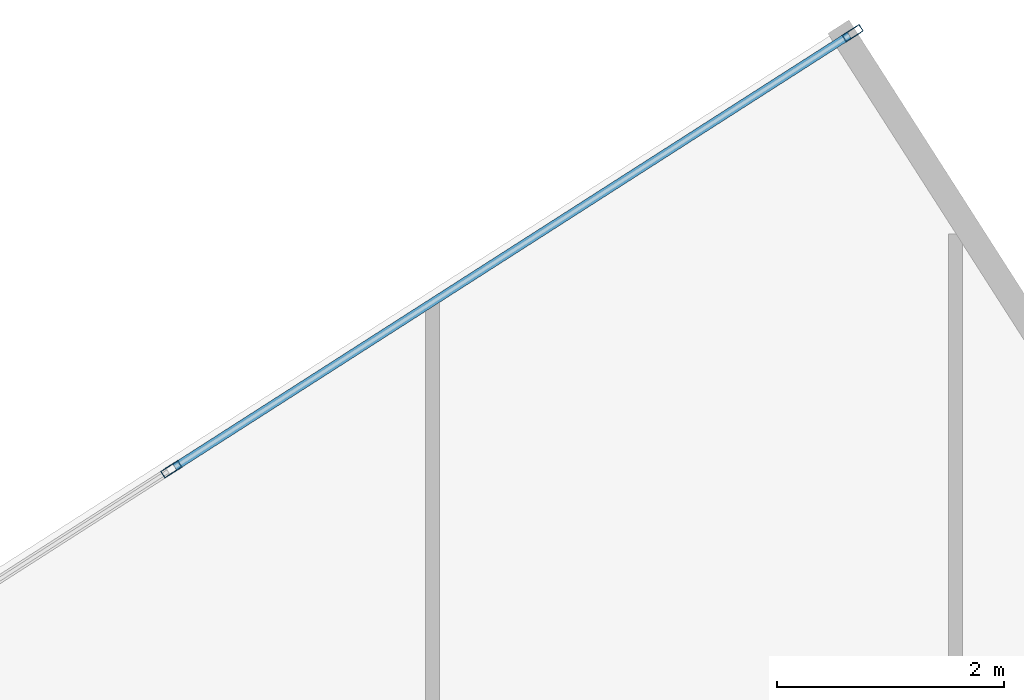
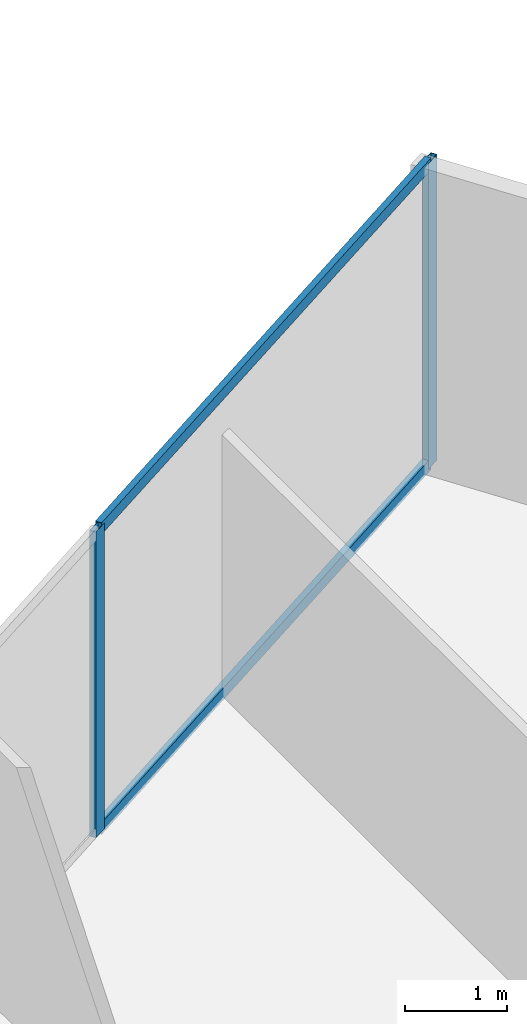
# One storey, part 14 of 20: 4 members, 1 element without a shape of its own.
"""IFC4 building model written with IfcOpenShell, lengths in metres."""

import ifcopenshell
import ifcopenshell.guid

model = None  # the IFC model being written
_history = None  # IfcOwnerHistory: only IFC2X3 demands one
_inside = {}  # id of a spatial element -> (the spatial element, [elements in it])
_under = {}  # id of a project, library or spatial element -> (it, [spatial elements below it])
_declared = {}  # id of a project -> (the project, [libraries it declares])
_typed = {}  # id of a type object -> (the type object, [elements of that type])
_made_of = {}  # id of a material, layer set ... -> (it, [elements and type objects made of it])


def new_model(schema):
    """Start an empty IFC model of exactly this schema.

    Asked for "IFC4X3", IfcOpenShell would pick the latest addendum, in which some entities
    have other attributes; the version numbers below select the first issue.
    IFC2X3 requires an IfcOwnerHistory on every rooted entity: one is made here for all.
    """
    global model, _history
    if schema == "IFC4X3":
        model = ifcopenshell.file(schema_version=(4, 3, 0, 0))
    else:
        model = ifcopenshell.file(schema=schema)
    _inside.clear()
    _under.clear()
    _declared.clear()
    _typed.clear()
    _made_of.clear()
    _history = None
    if model.schema == "IFC2X3":
        org = make("IfcOrganization", Name="unknown")
        user = make(
            "IfcPersonAndOrganization",
            ThePerson=make("IfcPerson", FamilyName="unknown"),
            TheOrganization=org,
        )
        app = make(
            "IfcApplication",
            ApplicationDeveloper=org,
            Version="unknown",
            ApplicationFullName="unknown",
            ApplicationIdentifier="unknown",
        )
        _history = make(
            "IfcOwnerHistory",
            OwningUser=user,
            OwningApplication=app,
            ChangeAction="ADDED",
            CreationDate=0,
        )
    return model


def make(cls, **values):
    """One entity of the class cls with the attributes given. An attribute that is None is left unset."""
    return model.create_entity(
        cls, **{name: value for name, value in values.items() if value is not None}
    )


def rooted(cls, **values):
    """An entity with a GlobalId (a new one), such as an element, a storey or a relation."""
    return make(cls, GlobalId=ifcopenshell.guid.new(), OwnerHistory=_history, **values)


def si_unit(unit_type, name, prefix=None):
    """IfcSIUnit, for example si_unit("LENGTHUNIT", "METRE", prefix="MILLI")."""
    return make("IfcSIUnit", UnitType=unit_type, Prefix=prefix, Name=name)


def assignment(units):
    """IfcUnitAssignment: the units of a project."""
    return None if units is None else make("IfcUnitAssignment", Units=units)


def point(xyz):
    """IfcCartesianPoint."""
    return None if xyz is None else make("IfcCartesianPoint", Coordinates=xyz)


def direction(xyz):
    """IfcDirection."""
    return None if xyz is None else make("IfcDirection", DirectionRatios=xyz)


def frame(location, z_axis=None, x_axis=None):
    """IfcAxis2Placement3D, a coordinate frame: its origin and axes. An axis left out is left unset."""
    return make(
        "IfcAxis2Placement3D",
        Location=point(location),
        Axis=direction(z_axis),
        RefDirection=direction(x_axis),
    )


def frame_2d(location, x_axis=None):
    """IfcAxis2Placement2D, a coordinate frame in the plane: its origin and x axis."""
    return make(
        "IfcAxis2Placement2D", Location=point(location), RefDirection=direction(x_axis)
    )


def origin():
    """The frame at (0, 0, 0) with its axes left unset."""
    return frame((0.0, 0.0, 0.0))


def origin_2d():
    """The frame at (0, 0) in the plane with its x axis left unset."""
    return frame_2d((0.0, 0.0))


def place(relative_to, where):
    """IfcLocalPlacement: puts the frame where relative to a parent placement (None: the world)."""
    return make(
        "IfcLocalPlacement", PlacementRelTo=relative_to, RelativePlacement=where
    )


def context(
    kind, dimensions, precision=None, world=None, true_north=None, identifier=None
):
    """IfcGeometricRepresentationContext, for example the 3D "Model" context."""
    return make(
        "IfcGeometricRepresentationContext",
        ContextIdentifier=identifier,
        ContextType=kind,
        CoordinateSpaceDimension=dimensions,
        Precision=precision,
        WorldCoordinateSystem=world,
        TrueNorth=true_north,
    )


def subcontext(parent, identifier, kind, view, scale=None):
    """IfcGeometricRepresentationSubContext, for example "Body" below "Model"."""
    return make(
        "IfcGeometricRepresentationSubContext",
        ContextIdentifier=identifier,
        ContextType=kind,
        ParentContext=parent,
        TargetScale=scale,
        TargetView=view,
    )


def project(units=None, contexts=None):
    """IfcProject with its units and contexts."""
    return rooted(
        "IfcProject",
        Name="project",
        RepresentationContexts=contexts,
        UnitsInContext=assignment(units),
    )


def spatial(cls, under=None, at=None, **own):
    """A site, building, storey or space (cls), placed at a placement, below another one or the project."""
    s = rooted(cls, ObjectPlacement=at, **own)
    if under is not None:
        _under.setdefault(under.id(), (under, []))[1].append(s)
    return s


def profile(cls, at=None, kind="AREA", **sizes):
    """A parametric profile (cls). Its sizes go by their IFC names, for example OverallWidth=200.0."""
    return make(cls, ProfileType=kind, Position=at, **sizes)


def hollow_rectangle(**sizes):
    """IfcRectangleHollowProfileDef."""
    return profile("IfcRectangleHollowProfileDef", **sizes)


def extrude(swept, where, along, depth):
    """IfcExtrudedAreaSolid: the profile swept, set in the frame where, extruded along a direction by depth."""
    return make(
        "IfcExtrudedAreaSolid",
        SweptArea=swept,
        Position=where,
        ExtrudedDirection=direction(along),
        Depth=depth,
    )


def shape(context_of_items, identifier, shape_type, items):
    """IfcShapeRepresentation: the items that make up one representation, for example the "Body"."""
    return make(
        "IfcShapeRepresentation",
        ContextOfItems=context_of_items,
        RepresentationIdentifier=identifier,
        RepresentationType=shape_type,
        Items=items,
    )


def source(mapping_origin, context_of_items, identifier, shape_type, items):
    """IfcRepresentationMap: a shape defined once, which mapped items show again and again."""
    return make(
        "IfcRepresentationMap",
        MappingOrigin=mapping_origin,
        MappedRepresentation=shape(context_of_items, identifier, shape_type, items),
    )


def transform(
    local_origin,
    x_axis=None,
    y_axis=None,
    z_axis=None,
    scale=None,
    scale2=None,
    scale3=None,
    uniform=True,
):
    """IfcCartesianTransformationOperator3D, or its non-uniform kind. x_axis, y_axis, z_axis: its Axis1, 2, 3."""
    if uniform:
        return make(
            "IfcCartesianTransformationOperator3D",
            Axis1=direction(x_axis),
            Axis2=direction(y_axis),
            LocalOrigin=point(local_origin),
            Scale=scale,
            Axis3=direction(z_axis),
        )
    return make(
        "IfcCartesianTransformationOperator3DnonUniform",
        Axis1=direction(x_axis),
        Axis2=direction(y_axis),
        LocalOrigin=point(local_origin),
        Scale=scale,
        Axis3=direction(z_axis),
        Scale2=scale2,
        Scale3=scale3,
    )


def mapped(mapping_source, mapping_target):
    """IfcMappedItem: shows the shape of a source again, moved by a transform."""
    return make(
        "IfcMappedItem", MappingSource=mapping_source, MappingTarget=mapping_target
    )


def material(Name=None, Category=None):
    """IfcMaterial."""
    return make("IfcMaterial", Name=Name, Category=Category)


def material_profile(
    of_material, cross_section, Name=None, Category=None, Priority=None
):
    """IfcMaterialProfile: a cross section and its material."""
    return make(
        "IfcMaterialProfile",
        Name=Name,
        Material=of_material,
        Profile=cross_section,
        Priority=Priority,
        Category=Category,
    )


def profile_set(profiles, Name=None, composite=None):
    """IfcMaterialProfileSet."""
    return make(
        "IfcMaterialProfileSet",
        Name=Name,
        MaterialProfiles=profiles,
        CompositeProfile=composite,
    )


def made_of(thing, what):
    """Note that an element or type object is made of a material, layer set ...; save() writes the relation."""
    if what is not None:
        _made_of.setdefault(what.id(), (what, []))[1].append(thing)
    return thing


def type_object(cls, material=None, **own):
    """A type object (cls), such as IfcWallType, which elements share."""
    return made_of(rooted(cls, **own), material)


def type_shapes(of_type, sources):
    """Give a type object the sources (RepresentationMaps) that its elements show as mapped items."""
    of_type.RepresentationMaps = sources


def element(
    cls,
    number,
    at=None,
    inside=None,
    cuts=None,
    type_object=None,
    material=None,
    context=None,
    identifier="Body",
    shape_type=None,
    held_by="IfcProductDefinitionShape",
    body=None,
    shapes=None,
    **own,
):
    """One element of the class cls, such as IfcWall. Its Tag is "e" and its number.

    at: its placement. inside: the storey or other place that contains it. cuts: it is an
    opening in that element (IfcRelVoidsElement). A single representation is given by context,
    identifier, shape_type and body (its items); several are given by shapes. held_by: the class
    of the entity that holds the representations. save() writes the other relations.
    """
    e = rooted(cls, Tag="e%d" % number, ObjectPlacement=at, **own)
    if body is not None:
        shapes = [shape(context, identifier, shape_type, body)]
    if shapes is not None:
        e.Representation = make(held_by, Representations=shapes)
    if inside is not None:
        _inside.setdefault(inside.id(), (inside, []))[1].append(e)
    if cuts is not None:
        rooted(
            "IfcRelVoidsElement", RelatingBuildingElement=cuts, RelatedOpeningElement=e
        )
    if type_object is not None:
        _typed.setdefault(type_object.id(), (type_object, []))[1].append(e)
    return made_of(e, material)


def aggregate(whole, parts):
    """IfcRelAggregates: a whole, such as a stair, and the parts it consists of."""
    return rooted("IfcRelAggregates", RelatingObject=whole, RelatedObjects=parts)


def save(model, path):
    """Write the relations noted so far, then the file.

    IfcRelAggregates (storeys below a building ...), IfcRelContainedInSpatialStructure (elements
    in a storey), IfcRelDefinesByType, IfcRelAssociatesMaterial and IfcRelDeclares: one each for
    every whole, place, type object, material and project.
    """
    for whole, parts in _under.values():
        aggregate(whole, parts)
    for where, things in _inside.values():
        rooted(
            "IfcRelContainedInSpatialStructure",
            RelatedElements=things,
            RelatingStructure=where,
        )
    for kind, things in _typed.values():
        rooted("IfcRelDefinesByType", RelatedObjects=things, RelatingType=kind)
    for what, things in _made_of.values():
        rooted("IfcRelAssociatesMaterial", RelatedObjects=things, RelatingMaterial=what)
    for by, libraries in _declared.values():
        rooted("IfcRelDeclares", RelatingContext=by, RelatedDefinitions=libraries)
    model.write(path)


model = new_model("IFC4")

# Units and contexts
model_context = context("Model", 3, precision=1e-05, world=origin(), true_north=direction((0.0, 1.0)))
body_context = subcontext(model_context, "Body", "Model", "MODEL_VIEW")
ifc_project = project(units=[si_unit("LENGTHUNIT", "METRE"), si_unit("AREAUNIT", "SQUARE_METRE"), si_unit("VOLUMEUNIT", "CUBIC_METRE"), si_unit("PLANEANGLEUNIT", "RADIAN"), si_unit("MASSUNIT", "GRAM", prefix="KILO")], contexts=[model_context])

# Site, building, storey
site_placement = place(None, origin())
site = spatial("IfcSite", under=ifc_project, at=site_placement, CompositionType="ELEMENT")
building_placement = place(site_placement, origin())
building = spatial("IfcBuilding", under=site, at=building_placement, Name="Krantzveldt Concourse Tower", CompositionType="ELEMENT")
storey_placement = place(building_placement, frame((0.0, 0.0, 291.10009765625)))
storey = spatial("IfcBuildingStorey", under=building, at=storey_placement, Name="L71", CompositionType="ELEMENT", Elevation=291.10009765625)

# Curtain wall, members
ifc_material = material(Name="Anodised aluminium 6063-T6", Category="aluminium")
curtain_wall_type = type_object("IfcCurtainWallType", Name="CW4", PredefinedType="USERDEFINED", material=ifc_material)
curtain_wall_placement = place(storey_placement, origin())
curtain_wall = element("IfcCurtainWall", 1, at=curtain_wall_placement, inside=storey, type_object=curtain_wall_type, Name="CW-L71-F01", ObjectType="UNITISED CURTAIN WALL", PredefinedType="USERDEFINED")
ifc_material_profile_1 = material_profile(ifc_material, hollow_rectangle(XDim=0.070068359375, YDim=0.179931640625, WallThickness=0.0048828125, at=origin_2d()), Name="Anodised aluminium 6063-T6", Category="aluminium")
ifc_profile_set_1 = profile_set([ifc_material_profile_1], Name="Anodised aluminium 6063-T6 - ALU-MULL 180x70x5")
member_type_1 = type_object("IfcMemberType", Name="CW-MUL-180", PredefinedType="MULLION", material=ifc_profile_set_1)
shared_shape_1 = source(origin(), body_context, "Body", "SweptSolid", [
    extrude(hollow_rectangle(XDim=0.070068359375, YDim=0.179931640625, WallThickness=0.0048828125, at=origin_2d()), origin(), (0.0, 0.0, 1.0), 3.669921875),
])
type_shapes(member_type_1, [shared_shape_1])
member_1_placement = place(storey_placement, frame((37.49560546875, 50.822509765625, 0.0), z_axis=(0.0, 0.0, 1.0), x_axis=(0.53913830827, -0.842217243088, 0.0)))
member_1 = element("IfcMember", 2, at=member_1_placement, type_object=member_type_1, Name="CW-Z56 mullion 1", PredefinedType="MULLION", context=body_context, shape_type="MappedRepresentation", body=[
    mapped(shared_shape_1, transform((0.0, 0.0, 0.0), x_axis=(1.0, 0.0, 0.0), y_axis=(0.0, 1.0, 0.0), z_axis=(0.0, 0.0, 1.0), scale=1.0)),
])
member_2_placement = place(storey_placement, frame((31.503173828125, 46.986572265625, 0.0), z_axis=(0.0, 0.0, 1.0), x_axis=(0.53913830827, -0.842217243088, 0.0)))
member_2 = element("IfcMember", 3, at=member_2_placement, type_object=member_type_1, Name="CW-Z56 mullion 2", PredefinedType="MULLION", context=body_context, shape_type="MappedRepresentation", body=[
    mapped(shared_shape_1, transform((0.0, 0.0, 0.0), x_axis=(1.0, 0.0, 0.0), y_axis=(0.0, 1.0, 0.0), z_axis=(0.0, 0.0, 1.0), scale=1.0)),
])
ifc_material_profile_2 = material_profile(ifc_material, hollow_rectangle(XDim=0.070068359375, YDim=0.139892578125, WallThickness=0.0048828125, at=origin_2d()), Name="Anodised aluminium 6063-T6", Category="aluminium")
ifc_profile_set_2 = profile_set([ifc_material_profile_2], Name="Anodised aluminium 6063-T6 - ALU-TRAN 140x70x5")
member_type_2 = type_object("IfcMemberType", Name="CW-TRN-150", PredefinedType="USERDEFINED", material=ifc_profile_set_2)
shared_shape_2 = source(origin(), body_context, "Body", "SweptSolid", [
    extrude(hollow_rectangle(XDim=0.070068359375, YDim=0.139892578125, WallThickness=0.0048828125, at=origin_2d()), origin(), (0.0, 0.0, 1.0), 7.044921875),
])
type_shapes(member_type_2, [shared_shape_2])
member_3_placement = place(storey_placement, frame((37.466064453125, 50.8037109375, 0.034912109375), z_axis=(-0.842207199378, -0.539153997775, 0.0), x_axis=(0.539153997775, -0.842207199378, 0.0)))
member_3 = element("IfcMember", 4, at=member_3_placement, type_object=member_type_2, Name="CW-Z56 transom 1.1", ObjectType="TRANSOM", PredefinedType="USERDEFINED", context=body_context, shape_type="MappedRepresentation", body=[
    mapped(shared_shape_2, transform((0.0, 0.0, 0.0), x_axis=(1.0, 0.0, 0.0), y_axis=(0.0, 1.0, 0.0), z_axis=(0.0, 0.0, 1.0), scale=1.0)),
])
member_4_placement = place(storey_placement, frame((37.466064453125, 50.8037109375, 3.635009765625), z_axis=(-0.842207199378, -0.539153997775, 0.0), x_axis=(0.539153997775, -0.842207199378, 0.0)))
member_4 = element("IfcMember", 5, at=member_4_placement, type_object=member_type_2, Name="CW-Z56 transom 1.2", ObjectType="TRANSOM", PredefinedType="USERDEFINED", context=body_context, shape_type="MappedRepresentation", body=[
    mapped(shared_shape_2, transform((0.0, 0.0, 0.0), x_axis=(1.0, 0.0, 0.0), y_axis=(0.0, 1.0, 0.0), z_axis=(0.0, 0.0, 1.0), scale=1.0)),
])
aggregate(curtain_wall, [member_1, member_2, member_3, member_4])

save(model, "model.ifc")
